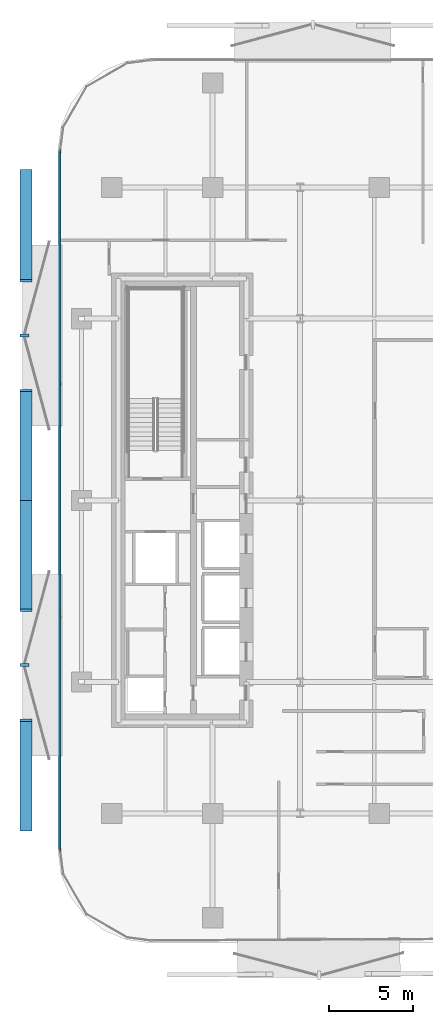
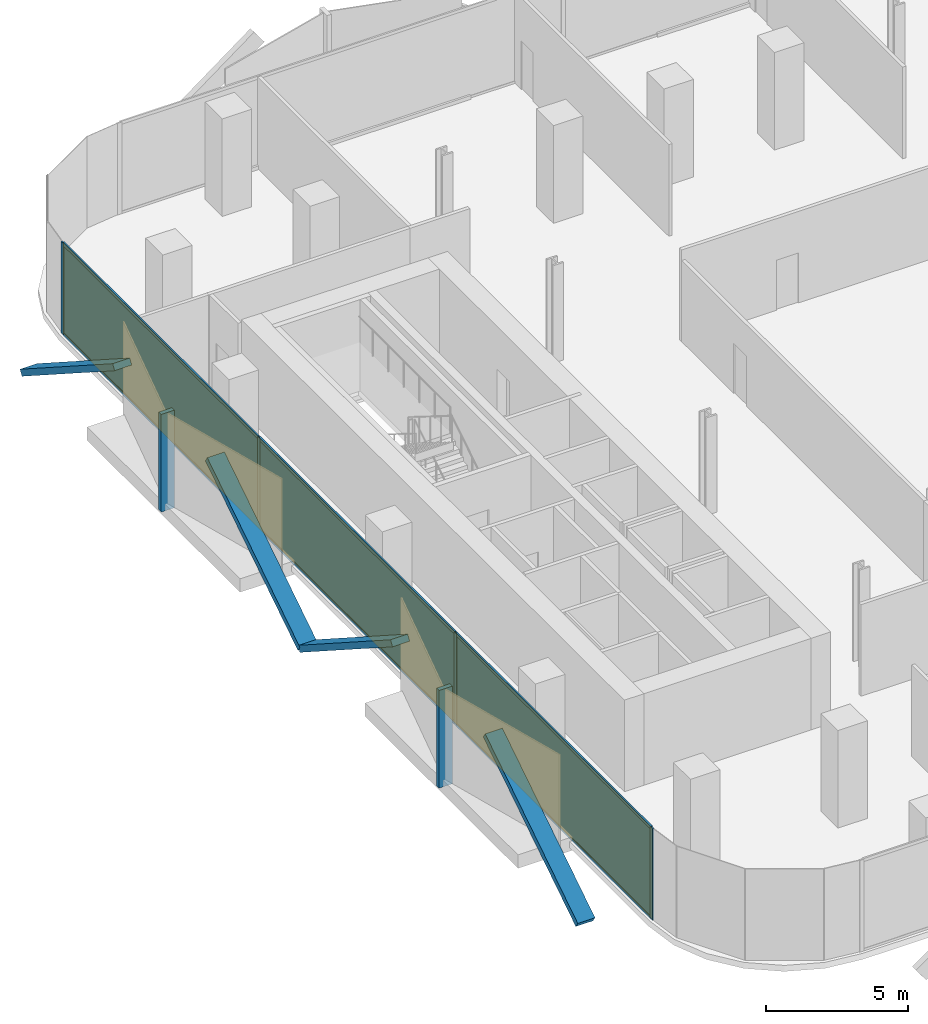
# One storey, part 8 of 15: 16 members, 3 plates, 1 curtain wall.
"""IFC4 building model written with IfcOpenShell, lengths in metres."""

from ifc_helpers import new_model, si_unit, direction, frame, frame_2d, origin, origin_2d, place, context, subcontext, project, spatial, rectangle, extrude, material, layer, layer_set, material_profile, profile_set, type_object, element, aggregate, save


model = new_model("IFC4")

# Units and contexts
model_context = context("Model", 3, precision=1e-05, world=origin(), true_north=direction((0.0, 1.0)))
body_context = subcontext(model_context, "Body", "Model", "MODEL_VIEW")
ifc_project = project(units=[si_unit("LENGTHUNIT", "METRE"), si_unit("AREAUNIT", "SQUARE_METRE"), si_unit("VOLUMEUNIT", "CUBIC_METRE"), si_unit("PLANEANGLEUNIT", "RADIAN"), si_unit("MASSUNIT", "GRAM", prefix="KILO")], contexts=[model_context])

# Member
ifc_material_1 = material(Name="Anodised Bronze Aluminium 6063-T6", Category="aluminium")
ifc_material_profile_1 = material_profile(ifc_material_1, rectangle(XDim=0.260009765625, YDim=0.699951171875, at=origin_2d()))
ifc_profile_set_1 = profile_set([ifc_material_profile_1], Name="Anodised Bronze Aluminium 6063-T6")
member_type_1 = type_object("IfcMemberType", Name="Bronze Diamond Solar-Screen Lattice Rib BDL-700", PredefinedType="MULLION", material=ifc_profile_set_1)
site_placement = place(None, origin())
building_placement = place(site_placement, origin())
storey_placement = place(building_placement, frame((0.0, 0.0, 118.39990234375)))
member_1_placement = place(storey_placement, frame((-25.5, -19.5908203125, -0.1298828125), z_axis=(0.0, 0.841066075866, 0.540932395062), x_axis=(0.0, -0.540932395062, 0.841066075866)))
member_1 = element("IfcMember", 1, at=member_1_placement, type_object=member_type_1, Name="L27 Bronze Diamond Solar Screen Lattice Rib 163A", PredefinedType="MULLION", context=body_context, shape_type="SweptSolid", body=[
    extrude(rectangle(XDim=0.260009765625, YDim=0.699951171875, at=origin_2d()), origin(), (0.0, 0.0, 1.0), 7.76416015625),
])

member_2_placement = place(storey_placement, frame((-25.5, 0.0, -0.1298828125), z_axis=(0.0, -0.841066075866, 0.540932395062), x_axis=(0.0, 0.540932395062, 0.841066075866)))
member_2 = element("IfcMember", 2, at=member_2_placement, type_object=member_type_1, Name="L27 Bronze Diamond Solar Screen Lattice Rib 163B", PredefinedType="MULLION", context=body_context, shape_type="SweptSolid", body=[
    extrude(rectangle(XDim=0.260009765625, YDim=0.699951171875, at=origin_2d()), origin(), (0.0, 0.0, 1.0), 7.76416015625),
])

member_3_placement = place(storey_placement, frame((-25.5, 0.0, -0.1298828125), z_axis=(0.0, 0.841066075866, 0.540932395062), x_axis=(0.0, -0.540932395062, 0.841066075866)))
member_3 = element("IfcMember", 3, at=member_3_placement, type_object=member_type_1, Name="L27 Bronze Diamond Solar Screen Lattice Rib 164A", PredefinedType="MULLION", context=body_context, shape_type="SweptSolid", body=[
    extrude(rectangle(XDim=0.260009765625, YDim=0.699951171875, at=origin_2d()), origin(), (0.0, 0.0, 1.0), 7.76416015625),
])

member_4_placement = place(storey_placement, frame((-25.5, 19.5908203125, -0.1298828125), z_axis=(0.0, -0.841066075866, 0.540932395062), x_axis=(0.0, 0.540932395062, 0.841066075866)))
member_4 = element("IfcMember", 4, at=member_4_placement, type_object=member_type_1, Name="L27 Bronze Diamond Solar Screen Lattice Rib 164B", PredefinedType="MULLION", context=body_context, shape_type="SweptSolid", body=[
    extrude(rectangle(XDim=0.260009765625, YDim=0.699951171875, at=origin_2d()), origin(), (0.0, 0.0, 1.0), 7.76416015625),
])

ifc_material_2 = material(Name="Anodised Bronze Aluminium 6063-T6", Category="aluminium")
ifc_material_profile_2 = material_profile(ifc_material_2, rectangle(XDim=0.179931640625, YDim=0.5400390625, at=origin_2d()))
ifc_profile_set_2 = profile_set([ifc_material_profile_2], Name="Anodised Bronze Aluminium 6063-T6")
member_type_2 = type_object("IfcMemberType", Name="Bronze Solar-Screen Vertical Fold Fin BSF-540", PredefinedType="MULLION", material=ifc_profile_set_2)
member_5_placement = place(storey_placement, frame((-25.580078125, -9.79541015625, -0.1298828125), z_axis=(0.0, 0.0, 1.0), x_axis=(0.0, 1.0, 0.0)))
member_5 = element("IfcMember", 5, at=member_5_placement, type_object=member_type_2, Name="L27 Bronze Solar Screen Vertical Fin 163", PredefinedType="MULLION", context=body_context, shape_type="SweptSolid", body=[
    extrude(rectangle(XDim=0.179931640625, YDim=0.5400390625, at=origin_2d()), origin(), (0.0, 0.0, 1.0), 4.199951171875),
])

member_6_placement = place(storey_placement, frame((-25.580078125, 9.79541015625, -0.1298828125), z_axis=(0.0, 0.0, 1.0), x_axis=(0.0, 1.0, 0.0)))
member_6 = element("IfcMember", 6, at=member_6_placement, type_object=member_type_2, Name="L27 Bronze Solar Screen Vertical Fin 164", PredefinedType="MULLION", context=body_context, shape_type="SweptSolid", body=[
    extrude(rectangle(XDim=0.179931640625, YDim=0.5400390625, at=origin_2d()), origin(), (0.0, 0.0, 1.0), 4.199951171875),
])

ifc_material_3 = material(Name="Anodised Bronze Aluminium 6063-T6", Category="aluminium")
ifc_material_profile_3 = material_profile(ifc_material_3, rectangle(XDim=0.06494140625, YDim=0.175048828125, at=origin_2d()))
ifc_profile_set_3 = profile_set([ifc_material_profile_3], Name="Anodised Bronze Aluminium 6063-T6")
member_type_3 = type_object("IfcMemberType", Name="CW-Z2 Mullion 65x175", PredefinedType="MULLION", material=ifc_profile_set_3)
member_7_placement = place(storey_placement, frame((-23.4599609375, -20.75830078125, 0.0), z_axis=(0.0, 0.0, 1.0), x_axis=(-1.0, 0.0, 0.0)))
member_7 = element("IfcMember", 7, at=member_7_placement, type_object=member_type_3, Name="CW-Z2 mullion 1", PredefinedType="MULLION", context=body_context, shape_type="SweptSolid", body=[
    extrude(rectangle(XDim=0.06494140625, YDim=0.175048828125, at=origin_2d()), origin(), (0.0, 0.0, 1.0), 3.940185546875),
])

member_8_placement = place(storey_placement, frame((-23.4599609375, -6.93017578125, 0.0), z_axis=(0.0, 0.0, 1.0), x_axis=(-1.0, 0.0, 0.0)))
member_8 = element("IfcMember", 8, at=member_8_placement, type_object=member_type_3, Name="CW-Z2 mullion 2", PredefinedType="MULLION", context=body_context, shape_type="SweptSolid", body=[
    extrude(rectangle(XDim=0.06494140625, YDim=0.175048828125, at=origin_2d()), origin(), (0.0, 0.0, 1.0), 3.940185546875),
])

member_9_placement = place(storey_placement, frame((-23.4599609375, 6.93017578125, 0.0), z_axis=(0.0, 0.0, 1.0), x_axis=(-1.0, 0.0, 0.0)))
member_9 = element("IfcMember", 9, at=member_9_placement, type_object=member_type_3, Name="CW-Z2 mullion 3", PredefinedType="MULLION", context=body_context, shape_type="SweptSolid", body=[
    extrude(rectangle(XDim=0.06494140625, YDim=0.175048828125, at=origin_2d()), origin(), (0.0, 0.0, 1.0), 3.940185546875),
])

member_10_placement = place(storey_placement, frame((-23.4599609375, 20.75830078125, 0.0), z_axis=(0.0, 0.0, 1.0), x_axis=(-1.0, 0.0, 0.0)))
member_10 = element("IfcMember", 10, at=member_10_placement, type_object=member_type_3, Name="CW-Z2 mullion 4", PredefinedType="MULLION", context=body_context, shape_type="SweptSolid", body=[
    extrude(rectangle(XDim=0.06494140625, YDim=0.175048828125, at=origin_2d()), origin(), (0.0, 0.0, 1.0), 3.940185546875),
])

ifc_material_4 = material(Name="Anodised Bronze Aluminium 6063-T6", Category="aluminium")
ifc_material_profile_4 = material_profile(ifc_material_4, rectangle(XDim=0.06494140625, YDim=0.135009765625, at=origin_2d()))
ifc_profile_set_4 = profile_set([ifc_material_profile_4], Name="Anodised Bronze Aluminium 6063-T6")
member_type_4 = type_object("IfcMemberType", Name="CW-Z2 Transom 65x135", PredefinedType="USERDEFINED", material=ifc_profile_set_4)
member_11_placement = place(storey_placement, frame((-23.4599609375, -20.725830078125, 0.03271484375), z_axis=(0.0, 1.0, 0.0), x_axis=(-1.0, 0.0, 0.0)))
member_11 = element("IfcMember", 11, at=member_11_placement, type_object=member_type_4, Name="CW-Z2 transom 1.1", ObjectType="TRANSOM", PredefinedType="USERDEFINED", context=body_context, shape_type="SweptSolid", body=[
    extrude(rectangle(XDim=0.06494140625, YDim=0.135009765625, at=origin_2d()), origin(), (0.0, 0.0, 1.0), 13.76318359375),
])

member_12_placement = place(storey_placement, frame((-23.4599609375, -20.725830078125, 3.90771484375), z_axis=(0.0, 1.0, 0.0), x_axis=(-1.0, 0.0, 0.0)))
member_12 = element("IfcMember", 12, at=member_12_placement, type_object=member_type_4, Name="CW-Z2 transom 1.2", ObjectType="TRANSOM", PredefinedType="USERDEFINED", context=body_context, shape_type="SweptSolid", body=[
    extrude(rectangle(XDim=0.06494140625, YDim=0.135009765625, at=origin_2d()), origin(), (0.0, 0.0, 1.0), 13.76318359375),
])

member_13_placement = place(storey_placement, frame((-23.4599609375, -6.897705078125, 0.03271484375), z_axis=(0.0, 1.0, 0.0), x_axis=(-1.0, 0.0, 0.0)))
member_13 = element("IfcMember", 13, at=member_13_placement, type_object=member_type_4, Name="CW-Z2 transom 2.1", ObjectType="TRANSOM", PredefinedType="USERDEFINED", context=body_context, shape_type="SweptSolid", body=[
    extrude(rectangle(XDim=0.06494140625, YDim=0.135009765625, at=origin_2d()), origin(), (0.0, 0.0, 1.0), 13.79541015625),
])

member_14_placement = place(storey_placement, frame((-23.4599609375, -6.897705078125, 3.90771484375), z_axis=(0.0, 1.0, 0.0), x_axis=(-1.0, 0.0, 0.0)))
member_14 = element("IfcMember", 14, at=member_14_placement, type_object=member_type_4, Name="CW-Z2 transom 2.2", ObjectType="TRANSOM", PredefinedType="USERDEFINED", context=body_context, shape_type="SweptSolid", body=[
    extrude(rectangle(XDim=0.06494140625, YDim=0.135009765625, at=origin_2d()), origin(), (0.0, 0.0, 1.0), 13.79541015625),
])

member_15_placement = place(storey_placement, frame((-23.4599609375, 6.962646484375, 0.03271484375), z_axis=(0.0, 1.0, 0.0), x_axis=(-1.0, 0.0, 0.0)))
member_15 = element("IfcMember", 15, at=member_15_placement, type_object=member_type_4, Name="CW-Z2 transom 3.1", ObjectType="TRANSOM", PredefinedType="USERDEFINED", context=body_context, shape_type="SweptSolid", body=[
    extrude(rectangle(XDim=0.06494140625, YDim=0.135009765625, at=origin_2d()), origin(), (0.0, 0.0, 1.0), 13.76318359375),
])

member_16_placement = place(storey_placement, frame((-23.4599609375, 6.962646484375, 3.90771484375), z_axis=(0.0, 1.0, 0.0), x_axis=(-1.0, 0.0, 0.0)))
member_16 = element("IfcMember", 16, at=member_16_placement, type_object=member_type_4, Name="CW-Z2 transom 3.2", ObjectType="TRANSOM", PredefinedType="USERDEFINED", context=body_context, shape_type="SweptSolid", body=[
    extrude(rectangle(XDim=0.06494140625, YDim=0.135009765625, at=origin_2d()), origin(), (0.0, 0.0, 1.0), 13.76318359375),
])

# Plate
ifc_material_5 = material(Name="Low-E Solar Control Laminated Glass", Category="glass")
ifc_layer_1 = layer(ifc_material_5, 0.028076171875, Name="Low-E Solar Control Laminated Glass")
ifc_layer_set_1 = layer_set([ifc_layer_1], Name="Low-E Solar Control Laminated Glass")
plate_type = type_object("IfcPlateType", Name="CW-Z2 Low-E Double Glazed Panel 28mm", PredefinedType="CURTAIN_PANEL", material=ifc_layer_set_1)
plate_1_placement = place(storey_placement, frame((-23.4599609375, -13.84423828125, 0.065185546875), z_axis=(0.0, 0.0, 1.0), x_axis=(0.0, 1.0, 0.0)))
plate_1 = element("IfcPlate", 17, at=plate_1_placement, type_object=plate_type, Name="CW-Z2 panel 1.1", PredefinedType="CURTAIN_PANEL", context=body_context, shape_type="SweptSolid", body=[
    extrude(rectangle(XDim=13.762939453125, YDim=0.028076171875, at=origin_2d()), origin(), (0.0, 0.0, 1.0), 3.81005859375),
])

plate_2_placement = place(storey_placement, frame((-23.4599609375, 0.0, 0.065185546875), z_axis=(0.0, 0.0, 1.0), x_axis=(0.0, 1.0, 0.0)))
plate_2 = element("IfcPlate", 18, at=plate_2_placement, type_object=plate_type, Name="CW-Z2 panel 2.1", PredefinedType="CURTAIN_PANEL", context=body_context, shape_type="SweptSolid", body=[
    extrude(rectangle(XDim=13.795654296875, YDim=0.028076171875, at=origin_2d()), origin(), (0.0, 0.0, 1.0), 3.81005859375),
])

plate_3_placement = place(storey_placement, frame((-23.4599609375, 13.84423828125, 0.065185546875), z_axis=(0.0, 0.0, 1.0), x_axis=(0.0, 1.0, 0.0)))
plate_3 = element("IfcPlate", 19, at=plate_3_placement, type_object=plate_type, Name="CW-Z2 panel 3.1", PredefinedType="CURTAIN_PANEL", context=body_context, shape_type="SweptSolid", body=[
    extrude(rectangle(XDim=13.762939453125, YDim=0.028076171875, at=origin_2d()), origin(), (0.0, 0.0, 1.0), 3.81005859375),
])

# Site, building, storey
site = spatial("IfcSite", under=ifc_project, at=site_placement, CompositionType="ELEMENT")
building = spatial("IfcBuilding", under=site, at=building_placement, Name="Khairoan Windgate Tower", CompositionType="ELEMENT")
storey = spatial("IfcBuildingStorey", under=building, at=storey_placement, Name="L27", CompositionType="ELEMENT", Elevation=118.39990234375)

# Curtain wall
ifc_material_6 = material(Name="Anodised Bronze Aluminium 6063-T6", Category="aluminium")
ifc_layer_2 = layer(ifc_material_6, 0.175048828125, Name="Anodised Bronze Aluminium 6063-T6")
ifc_layer_set_2 = layer_set([ifc_layer_2], Name="Anodised Bronze Aluminium 6063-T6")
curtain_wall_type = type_object("IfcCurtainWallType", Name="Mid-Rise Office Unitised Curtain Wall CW-Z2", PredefinedType="NOTDEFINED", material=ifc_layer_set_2)
curtain_wall_placement = place(storey_placement, frame((-23.4599609375, -20.790771484375, 0.0), z_axis=(0.0, 0.0, 1.0), x_axis=(0.0, 1.0, 0.0)))
curtain_wall = element("IfcCurtainWall", 20, at=curtain_wall_placement, inside=storey, type_object=curtain_wall_type, Name="L27 Unitised Curtain Wall 6", PredefinedType="NOTDEFINED", context=body_context, shape_type="SweptSolid", body=[
    extrude(rectangle(XDim=41.58154296875, YDim=0.010009765625, at=frame_2d((20.790771484375, 0.0))), origin(), (0.0, 0.0, 1.0), 3.940185546875),
])

aggregate(curtain_wall, [member_7, member_8, member_9, member_10, member_11, member_12, plate_1, member_13, member_14, plate_2, member_15, member_16, plate_3, member_1, member_2, member_5, member_3, member_4, member_6])

save(model, "model.ifc")
